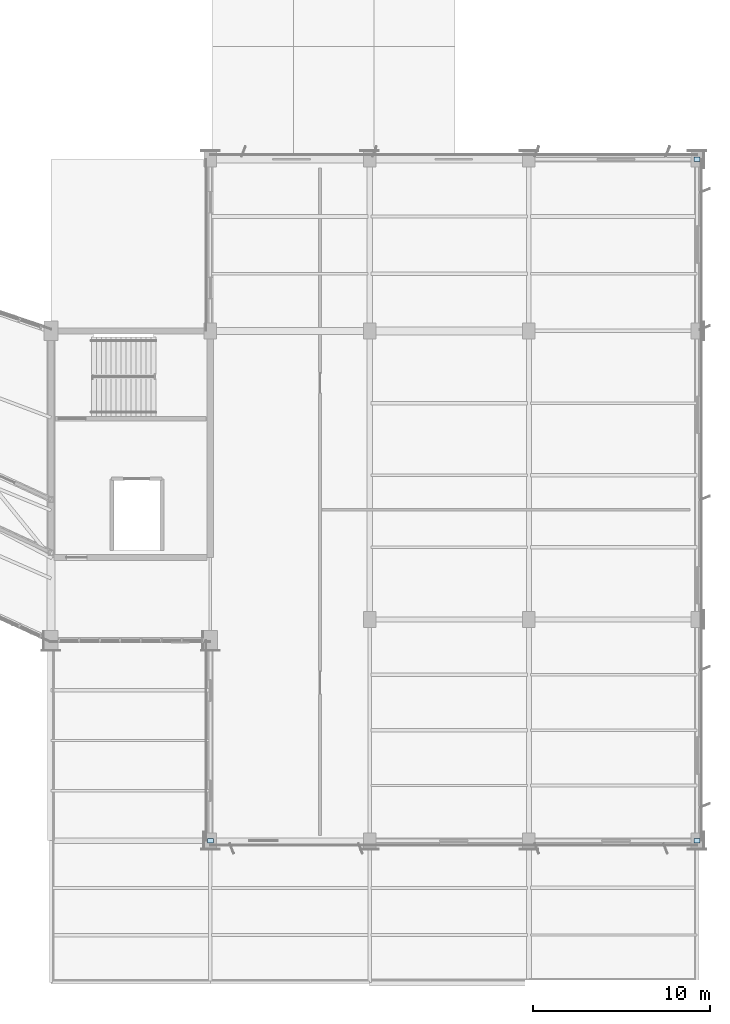
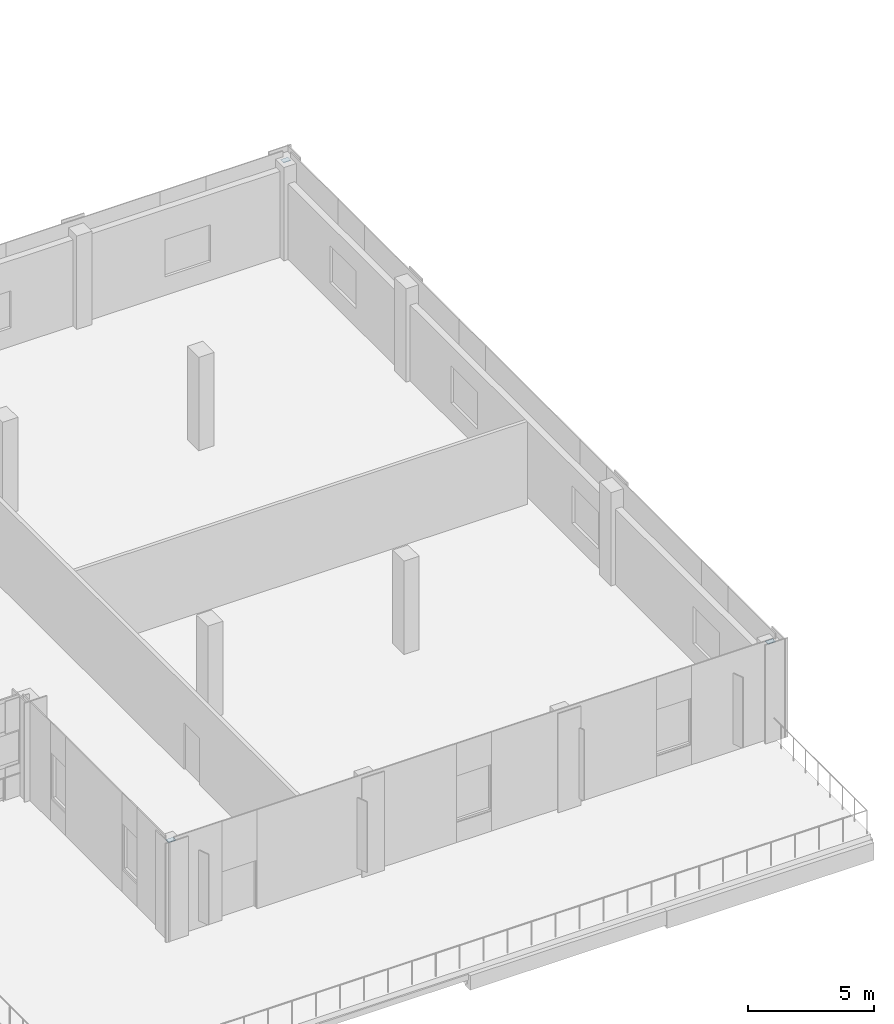
# One storey, part 67 of 86: 3 plates.
"""IFC4 building model written with IfcOpenShell, lengths in metres."""

import ifcopenshell
import ifcopenshell.guid

model = None  # the IFC model being written
_history = None  # IfcOwnerHistory: only IFC2X3 demands one
_inside = {}  # id of a spatial element -> (the spatial element, [elements in it])
_under = {}  # id of a project, library or spatial element -> (it, [spatial elements below it])
_declared = {}  # id of a project -> (the project, [libraries it declares])
_typed = {}  # id of a type object -> (the type object, [elements of that type])
_made_of = {}  # id of a material, layer set ... -> (it, [elements and type objects made of it])


def new_model(schema):
    """Start an empty IFC model of exactly this schema.

    Asked for "IFC4X3", IfcOpenShell would pick the latest addendum, in which some entities
    have other attributes; the version numbers below select the first issue.
    IFC2X3 requires an IfcOwnerHistory on every rooted entity: one is made here for all.
    """
    global model, _history
    if schema == "IFC4X3":
        model = ifcopenshell.file(schema_version=(4, 3, 0, 0))
    else:
        model = ifcopenshell.file(schema=schema)
    _inside.clear()
    _under.clear()
    _declared.clear()
    _typed.clear()
    _made_of.clear()
    _history = None
    if model.schema == "IFC2X3":
        org = make("IfcOrganization", Name="unknown")
        user = make(
            "IfcPersonAndOrganization",
            ThePerson=make("IfcPerson", FamilyName="unknown"),
            TheOrganization=org,
        )
        app = make(
            "IfcApplication",
            ApplicationDeveloper=org,
            Version="unknown",
            ApplicationFullName="unknown",
            ApplicationIdentifier="unknown",
        )
        _history = make(
            "IfcOwnerHistory",
            OwningUser=user,
            OwningApplication=app,
            ChangeAction="ADDED",
            CreationDate=0,
        )
    return model


def make(cls, **values):
    """One entity of the class cls with the attributes given. An attribute that is None is left unset."""
    return model.create_entity(
        cls, **{name: value for name, value in values.items() if value is not None}
    )


def rooted(cls, **values):
    """An entity with a GlobalId (a new one), such as an element, a storey or a relation."""
    return make(cls, GlobalId=ifcopenshell.guid.new(), OwnerHistory=_history, **values)


def si_unit(unit_type, name, prefix=None):
    """IfcSIUnit, for example si_unit("LENGTHUNIT", "METRE", prefix="MILLI")."""
    return make("IfcSIUnit", UnitType=unit_type, Prefix=prefix, Name=name)


def assignment(units):
    """IfcUnitAssignment: the units of a project."""
    return None if units is None else make("IfcUnitAssignment", Units=units)


def point(xyz):
    """IfcCartesianPoint."""
    return None if xyz is None else make("IfcCartesianPoint", Coordinates=xyz)


def direction(xyz):
    """IfcDirection."""
    return None if xyz is None else make("IfcDirection", DirectionRatios=xyz)


def frame(location, z_axis=None, x_axis=None):
    """IfcAxis2Placement3D, a coordinate frame: its origin and axes. An axis left out is left unset."""
    return make(
        "IfcAxis2Placement3D",
        Location=point(location),
        Axis=direction(z_axis),
        RefDirection=direction(x_axis),
    )


def frame_2d(location, x_axis=None):
    """IfcAxis2Placement2D, a coordinate frame in the plane: its origin and x axis."""
    return make(
        "IfcAxis2Placement2D", Location=point(location), RefDirection=direction(x_axis)
    )


def origin():
    """The frame at (0, 0, 0) with its axes left unset."""
    return frame((0.0, 0.0, 0.0))


def origin_2d():
    """The frame at (0, 0) in the plane with its x axis left unset."""
    return frame_2d((0.0, 0.0))


def place(relative_to, where):
    """IfcLocalPlacement: puts the frame where relative to a parent placement (None: the world)."""
    return make(
        "IfcLocalPlacement", PlacementRelTo=relative_to, RelativePlacement=where
    )


def context(
    kind, dimensions, precision=None, world=None, true_north=None, identifier=None
):
    """IfcGeometricRepresentationContext, for example the 3D "Model" context."""
    return make(
        "IfcGeometricRepresentationContext",
        ContextIdentifier=identifier,
        ContextType=kind,
        CoordinateSpaceDimension=dimensions,
        Precision=precision,
        WorldCoordinateSystem=world,
        TrueNorth=true_north,
    )


def subcontext(parent, identifier, kind, view, scale=None):
    """IfcGeometricRepresentationSubContext, for example "Body" below "Model"."""
    return make(
        "IfcGeometricRepresentationSubContext",
        ContextIdentifier=identifier,
        ContextType=kind,
        ParentContext=parent,
        TargetScale=scale,
        TargetView=view,
    )


def project(units=None, contexts=None):
    """IfcProject with its units and contexts."""
    return rooted(
        "IfcProject",
        Name="project",
        RepresentationContexts=contexts,
        UnitsInContext=assignment(units),
    )


def spatial(cls, under=None, at=None, **own):
    """A site, building, storey or space (cls), placed at a placement, below another one or the project."""
    s = rooted(cls, ObjectPlacement=at, **own)
    if under is not None:
        _under.setdefault(under.id(), (under, []))[1].append(s)
    return s


def profile(cls, at=None, kind="AREA", **sizes):
    """A parametric profile (cls). Its sizes go by their IFC names, for example OverallWidth=200.0."""
    return make(cls, ProfileType=kind, Position=at, **sizes)


def rectangle(**sizes):
    """IfcRectangleProfileDef."""
    return profile("IfcRectangleProfileDef", **sizes)


def extrude(swept, where, along, depth):
    """IfcExtrudedAreaSolid: the profile swept, set in the frame where, extruded along a direction by depth."""
    return make(
        "IfcExtrudedAreaSolid",
        SweptArea=swept,
        Position=where,
        ExtrudedDirection=direction(along),
        Depth=depth,
    )


def shape(context_of_items, identifier, shape_type, items):
    """IfcShapeRepresentation: the items that make up one representation, for example the "Body"."""
    return make(
        "IfcShapeRepresentation",
        ContextOfItems=context_of_items,
        RepresentationIdentifier=identifier,
        RepresentationType=shape_type,
        Items=items,
    )


def material(Name=None, Category=None):
    """IfcMaterial."""
    return make("IfcMaterial", Name=Name, Category=Category)


def layer(
    of_material, thickness, ventilated=None, Name=None, Category=None, Priority=None
):
    """IfcMaterialLayer: one layer of a wall or slab, of a material (None: an air gap)."""
    return make(
        "IfcMaterialLayer",
        Material=of_material,
        LayerThickness=thickness,
        IsVentilated=ventilated,
        Name=Name,
        Category=Category,
        Priority=Priority,
    )


def layer_set(layers, Name=None):
    """IfcMaterialLayerSet."""
    return make("IfcMaterialLayerSet", MaterialLayers=layers, LayerSetName=Name)


def made_of(thing, what):
    """Note that an element or type object is made of a material, layer set ...; save() writes the relation."""
    if what is not None:
        _made_of.setdefault(what.id(), (what, []))[1].append(thing)
    return thing


def type_object(cls, material=None, **own):
    """A type object (cls), such as IfcWallType, which elements share."""
    return made_of(rooted(cls, **own), material)


def element(
    cls,
    number,
    at=None,
    inside=None,
    cuts=None,
    type_object=None,
    material=None,
    context=None,
    identifier="Body",
    shape_type=None,
    held_by="IfcProductDefinitionShape",
    body=None,
    shapes=None,
    **own,
):
    """One element of the class cls, such as IfcWall. Its Tag is "e" and its number.

    at: its placement. inside: the storey or other place that contains it. cuts: it is an
    opening in that element (IfcRelVoidsElement). A single representation is given by context,
    identifier, shape_type and body (its items); several are given by shapes. held_by: the class
    of the entity that holds the representations. save() writes the other relations.
    """
    e = rooted(cls, Tag="e%d" % number, ObjectPlacement=at, **own)
    if body is not None:
        shapes = [shape(context, identifier, shape_type, body)]
    if shapes is not None:
        e.Representation = make(held_by, Representations=shapes)
    if inside is not None:
        _inside.setdefault(inside.id(), (inside, []))[1].append(e)
    if cuts is not None:
        rooted(
            "IfcRelVoidsElement", RelatingBuildingElement=cuts, RelatedOpeningElement=e
        )
    if type_object is not None:
        _typed.setdefault(type_object.id(), (type_object, []))[1].append(e)
    return made_of(e, material)


def aggregate(whole, parts):
    """IfcRelAggregates: a whole, such as a stair, and the parts it consists of."""
    return rooted("IfcRelAggregates", RelatingObject=whole, RelatedObjects=parts)


def save(model, path):
    """Write the relations noted so far, then the file.

    IfcRelAggregates (storeys below a building ...), IfcRelContainedInSpatialStructure (elements
    in a storey), IfcRelDefinesByType, IfcRelAssociatesMaterial and IfcRelDeclares: one each for
    every whole, place, type object, material and project.
    """
    for whole, parts in _under.values():
        aggregate(whole, parts)
    for where, things in _inside.values():
        rooted(
            "IfcRelContainedInSpatialStructure",
            RelatedElements=things,
            RelatingStructure=where,
        )
    for kind, things in _typed.values():
        rooted("IfcRelDefinesByType", RelatedObjects=things, RelatingType=kind)
    for what, things in _made_of.values():
        rooted("IfcRelAssociatesMaterial", RelatedObjects=things, RelatingMaterial=what)
    for by, libraries in _declared.values():
        rooted("IfcRelDeclares", RelatingContext=by, RelatedDefinitions=libraries)
    model.write(path)


model = new_model("IFC4")

# Units and contexts
model_context = context("Model", 3, precision=1e-05, world=origin(), true_north=direction((0.0, 1.0)))
body_context = subcontext(model_context, "Body", "Model", "MODEL_VIEW")
ifc_project = project(units=[si_unit("LENGTHUNIT", "METRE"), si_unit("AREAUNIT", "SQUARE_METRE"), si_unit("VOLUMEUNIT", "CUBIC_METRE"), si_unit("PLANEANGLEUNIT", "RADIAN"), si_unit("MASSUNIT", "GRAM", prefix="KILO")], contexts=[model_context])

# Site, building, storey
site_placement = place(None, origin())
site = spatial("IfcSite", under=ifc_project, at=site_placement, CompositionType="ELEMENT")
building_placement = place(site_placement, origin())
building = spatial("IfcBuilding", under=site, at=building_placement, Name="Solvikara Media Centre", CompositionType="ELEMENT")
storey_placement = place(building_placement, frame((0.0, 0.0, 15.0)))
storey = spatial("IfcBuildingStorey", under=building, at=storey_placement, Name="L03", CompositionType="ELEMENT", Elevation=15.0)

# Plates
ifc_material = material(Name="Steel S355JR", Category="steel")
ifc_layer = layer(ifc_material, 0.01806640625)
ifc_layer_set = layer_set([ifc_layer], Name="Steel S355JR")
plate_type = type_object("IfcPlateType", Name="PL-10", PredefinedType="USERDEFINED", material=ifc_layer_set)
for number, where, z_axis, x_axis, name in (
    (1, (136.5, 8.0, 4.490966796875), (0.0, 0.0, 1.0), (1.0, 0.0, 0.0), "ECP-PL10-06"),
    (2, (164.0, 8.0, 4.490966796875), (0.0, 0.0, 1.0), (1.0, 0.0, 0.0), "ECP-PL10-07"),
    (3, (164.0, 46.5, 4.490966796875), (0.0, 0.0, 1.0), (1.0, 0.0, 0.0), "ECP-PL10-08"),
):
    element("IfcPlate", number, at=place(storey_placement, frame(where, z_axis=z_axis, x_axis=x_axis)), inside=storey, type_object=plate_type, Name=name, ObjectType="GUSSET PLATE", PredefinedType="USERDEFINED", context=body_context, shape_type="SweptSolid", body=[
        extrude(rectangle(XDim=0.340087890625, YDim=0.239990234375, at=origin_2d()), origin(), (0.0, 0.0, 1.0), 0.01806640625),
    ])

save(model, "model.ifc")
